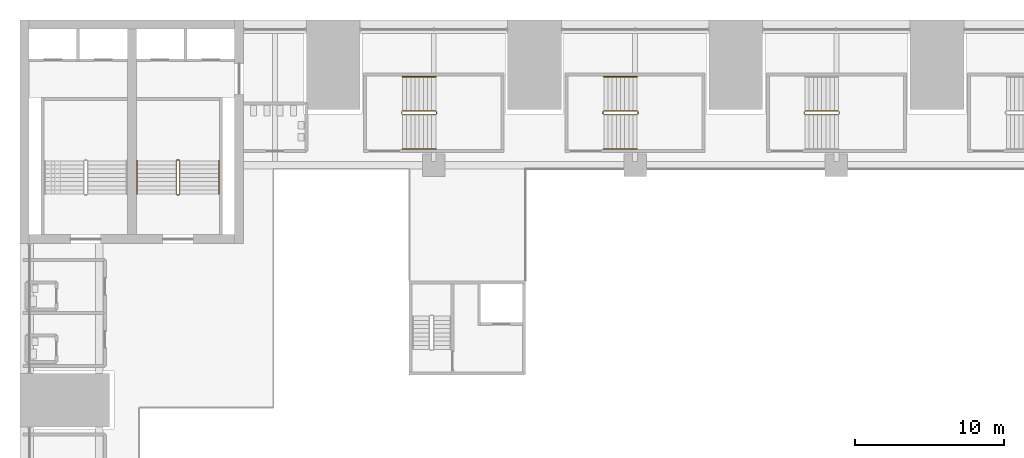
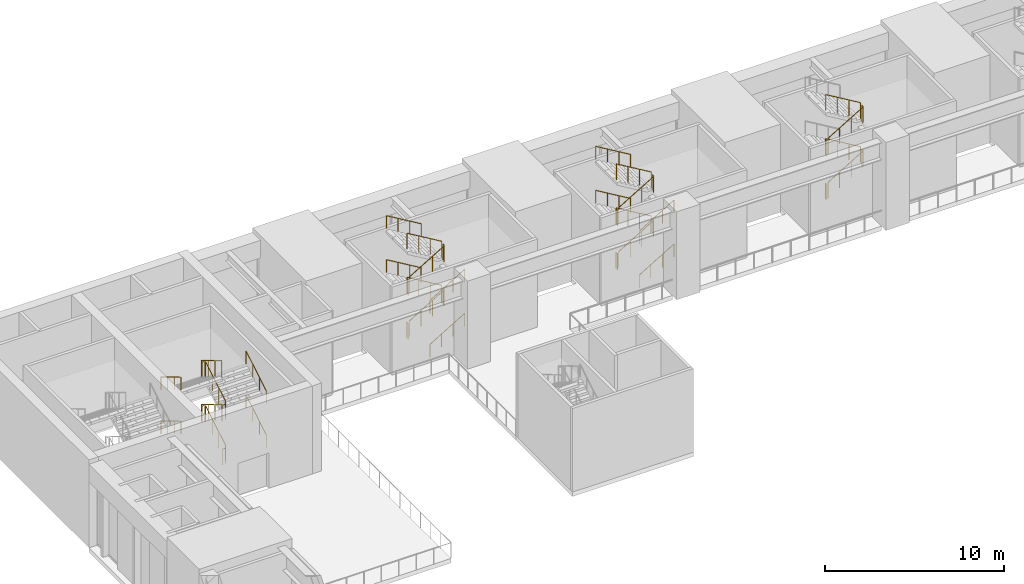
# One storey, part 41 of 43: 7 railings.
"""IFC4 building model written with IfcOpenShell, lengths in metres."""

from ifc_helpers import new_model, si_unit, direction, frame, origin, origin_2d, place, context, subcontext, project, spatial, circle, extrude, material, type_object, element, save


model = new_model("IFC4")

# Units and contexts
model_context = context("Model", 3, precision=1e-05, world=origin(), true_north=direction((0.0, 1.0)))
body_context = subcontext(model_context, "Body", "Model", "MODEL_VIEW")
ifc_project = project(units=[si_unit("LENGTHUNIT", "METRE"), si_unit("AREAUNIT", "SQUARE_METRE"), si_unit("VOLUMEUNIT", "CUBIC_METRE"), si_unit("PLANEANGLEUNIT", "RADIAN"), si_unit("MASSUNIT", "GRAM", prefix="KILO")], contexts=[model_context])

# Site, building, storey
site_placement = place(None, origin())
site = spatial("IfcSite", under=ifc_project, at=site_placement, CompositionType="ELEMENT")
building_placement = place(site_placement, origin())
building = spatial("IfcBuilding", under=site, at=building_placement, Name="Corbelhall Arena Tower", CompositionType="ELEMENT")
storey_placement = place(building_placement, frame((0.0, 0.0, 25.0)))
storey = spatial("IfcBuildingStorey", under=building, at=storey_placement, Name="L03", CompositionType="ELEMENT", Elevation=25.0)

# Railings
ifc_material = material(Name="Stainless steel A4", Category="steel")
railing_type_1 = type_object("IfcRailingType", Name="AR-STAIR-GUARD", PredefinedType="GUARDRAIL", material=ifc_material)
railing_1_placement = place(storey_placement, frame((-22.35009765625, 32.64990234375, 0.166748046875)))
element("IfcRailing", 1, at=railing_1_placement, inside=storey, type_object=railing_type_1, Name="L03 AS9 stair guards", PredefinedType="GUARDRAIL", context=body_context, shape_type="SweptSolid", body=[
    extrude(circle(Radius=0.02392578125, at=origin_2d()), frame((0.0, 0.0, 1.076171875), z_axis=(0.859305625298, 0.0, 0.511462454469), x_axis=(0.0, 1.0, 0.0)), (0.0, 0.0, 1.0), 2.606689453125),
    extrude(circle(Radius=0.02392578125, at=origin_2d()), frame((2.2900390625, 0.050048828125, 2.4091796875), z_axis=(0.0, 1.0, 0.0), x_axis=(-1.0, 0.0, 0.0)), (0.0, 0.0, 1.0), 0.150146484375),
    extrude(circle(Radius=0.02392578125, at=origin_2d()), frame((2.239990234375, 0.25, 2.576171875), z_axis=(-0.859305625298, 0.0, 0.511462454469), x_axis=(0.0, -1.0, 0.0)), (0.0, 0.0, 1.0), 2.606689453125),
    extrude(circle(Radius=0.02392578125, at=origin_2d()), frame((-0.0498046875, 0.050048828125, 3.9091796875), z_axis=(0.0, 1.0, 0.0), x_axis=(-1.0, 0.0, 0.0)), (0.0, 0.0, 1.0), 0.150146484375),
    extrude(circle(Radius=0.02392578125, at=origin_2d()), frame((0.0, 0.0, 4.076171875), z_axis=(0.859305625298, 0.0, 0.511462454469), x_axis=(0.0, 1.0, 0.0)), (0.0, 0.0, 1.0), 2.606689453125),
    extrude(circle(Radius=0.02392578125, at=origin_2d()), frame((2.2900390625, 0.050048828125, 5.4091796875), z_axis=(0.0, 1.0, 0.0), x_axis=(-1.0, 0.0, 0.0)), (0.0, 0.0, 1.0), 0.150146484375),
    extrude(circle(Radius=0.02392578125, at=origin_2d()), frame((2.239990234375, 0.25, 5.576171875), z_axis=(-0.859305625298, 0.0, 0.511462454469), x_axis=(0.0, -1.0, 0.0)), (0.0, 0.0, 1.0), 2.606689453125),
    extrude(circle(Radius=0.02392578125, at=origin_2d()), frame((-0.0498046875, 0.050048828125, 0.9091796875), z_axis=(0.0, 1.0, 0.0), x_axis=(-1.0, 0.0, 0.0)), (0.0, 0.0, 1.0), 0.150146484375),
    extrude(circle(Radius=0.02099609375, at=origin_2d()), origin(), (0.0, 0.0, 1.0), 1.052001953125),
    extrude(circle(Radius=0.02099609375, at=origin_2d()), frame((0.74658203125, 0.0, 0.4443359375)), (0.0, 0.0, 1.0), 1.052001953125),
    extrude(circle(Radius=0.02099609375, at=origin_2d()), frame((1.493408203125, 0.0, 0.888916015625)), (0.0, 0.0, 1.0), 1.052001953125),
    extrude(circle(Radius=0.02099609375, at=origin_2d()), frame((2.239990234375, 0.0, 1.333251953125)), (0.0, 0.0, 1.0), 1.052001953125),
    extrude(circle(Radius=0.02099609375, at=origin_2d()), frame((2.2900390625, 0.050048828125, 1.333251953125)), (0.0, 0.0, 1.0), 1.052001953125),
    extrude(circle(Radius=0.02099609375, at=origin_2d()), frame((2.2900390625, 0.2001953125, 1.333251953125)), (0.0, 0.0, 1.0), 1.052001953125),
    extrude(circle(Radius=0.02099609375, at=origin_2d()), frame((2.239990234375, 0.25, 1.5)), (0.0, 0.0, 1.0), 1.052001953125),
    extrude(circle(Radius=0.02099609375, at=origin_2d()), frame((1.493408203125, 0.25, 1.9443359375)), (0.0, 0.0, 1.0), 1.052001953125),
    extrude(circle(Radius=0.02099609375, at=origin_2d()), frame((0.74658203125, 0.25, 2.388916015625)), (0.0, 0.0, 1.0), 1.052001953125),
    extrude(circle(Radius=0.02099609375, at=origin_2d()), frame((0.0, 0.25, 2.833251953125)), (0.0, 0.0, 1.0), 1.052001953125),
    extrude(circle(Radius=0.02099609375, at=origin_2d()), frame((-0.0498046875, 0.050048828125, 2.833251953125)), (0.0, 0.0, 1.0), 1.052001953125),
    extrude(circle(Radius=0.02099609375, at=origin_2d()), frame((-0.0498046875, 0.2001953125, 2.833251953125)), (0.0, 0.0, 1.0), 1.052001953125),
    extrude(circle(Radius=0.02099609375, at=origin_2d()), frame((0.0, 0.0, 3.0)), (0.0, 0.0, 1.0), 1.052001953125),
    extrude(circle(Radius=0.02099609375, at=origin_2d()), frame((0.74658203125, 0.0, 3.4443359375)), (0.0, 0.0, 1.0), 1.052001953125),
    extrude(circle(Radius=0.02099609375, at=origin_2d()), frame((1.493408203125, 0.0, 3.888916015625)), (0.0, 0.0, 1.0), 1.052001953125),
    extrude(circle(Radius=0.02099609375, at=origin_2d()), frame((2.239990234375, 0.0, 4.333251953125)), (0.0, 0.0, 1.0), 1.052001953125),
    extrude(circle(Radius=0.02099609375, at=origin_2d()), frame((2.2900390625, 0.050048828125, 4.333251953125)), (0.0, 0.0, 1.0), 1.052001953125),
    extrude(circle(Radius=0.02099609375, at=origin_2d()), frame((2.2900390625, 0.2001953125, 4.333251953125)), (0.0, 0.0, 1.0), 1.052001953125),
    extrude(circle(Radius=0.02099609375, at=origin_2d()), frame((2.239990234375, 0.25, 4.5)), (0.0, 0.0, 1.0), 1.052001953125),
    extrude(circle(Radius=0.02099609375, at=origin_2d()), frame((1.493408203125, 0.25, 4.9443359375)), (0.0, 0.0, 1.0), 1.052001953125),
    extrude(circle(Radius=0.02099609375, at=origin_2d()), frame((0.74658203125, 0.25, 5.388916015625)), (0.0, 0.0, 1.0), 1.052001953125),
    extrude(circle(Radius=0.02099609375, at=origin_2d()), frame((0.0, 0.25, 5.833251953125)), (0.0, 0.0, 1.0), 1.052001953125),
    extrude(circle(Radius=0.02099609375, at=origin_2d()), frame((-0.0498046875, 0.050048828125, -0.166748046875)), (0.0, 0.0, 1.0), 1.052001953125),
    extrude(circle(Radius=0.02099609375, at=origin_2d()), frame((-0.0498046875, 0.2001953125, -0.166748046875)), (0.0, 0.0, 1.0), 1.052001953125),
])
railing_2_placement = place(storey_placement, frame((-8.85009765625, 32.64990234375, 0.166748046875)))
element("IfcRailing", 2, at=railing_2_placement, inside=storey, type_object=railing_type_1, Name="L03 AS10 stair guards", PredefinedType="GUARDRAIL", context=body_context, shape_type="SweptSolid", body=[
    extrude(circle(Radius=0.02392578125, at=origin_2d()), frame((0.0, 0.0, 1.076171875), z_axis=(0.859305625298, 0.0, 0.511462454469), x_axis=(0.0, 1.0, 0.0)), (0.0, 0.0, 1.0), 2.606689453125),
    extrude(circle(Radius=0.02392578125, at=origin_2d()), frame((2.2900390625, 0.050048828125, 2.4091796875), z_axis=(0.0, 1.0, 0.0), x_axis=(-1.0, 0.0, 0.0)), (0.0, 0.0, 1.0), 0.150146484375),
    extrude(circle(Radius=0.02392578125, at=origin_2d()), frame((2.239990234375, 0.25, 2.576171875), z_axis=(-0.859305625298, 0.0, 0.511462454469), x_axis=(0.0, -1.0, 0.0)), (0.0, 0.0, 1.0), 2.606689453125),
    extrude(circle(Radius=0.02392578125, at=origin_2d()), frame((-0.0498046875, 0.050048828125, 3.9091796875), z_axis=(0.0, 1.0, 0.0), x_axis=(-1.0, 0.0, 0.0)), (0.0, 0.0, 1.0), 0.150146484375),
    extrude(circle(Radius=0.02392578125, at=origin_2d()), frame((0.0, 0.0, 4.076171875), z_axis=(0.859305625298, 0.0, 0.511462454469), x_axis=(0.0, 1.0, 0.0)), (0.0, 0.0, 1.0), 2.606689453125),
    extrude(circle(Radius=0.02392578125, at=origin_2d()), frame((2.2900390625, 0.050048828125, 5.4091796875), z_axis=(0.0, 1.0, 0.0), x_axis=(-1.0, 0.0, 0.0)), (0.0, 0.0, 1.0), 0.150146484375),
    extrude(circle(Radius=0.02392578125, at=origin_2d()), frame((2.239990234375, 0.25, 5.576171875), z_axis=(-0.859305625298, 0.0, 0.511462454469), x_axis=(0.0, -1.0, 0.0)), (0.0, 0.0, 1.0), 2.606689453125),
    extrude(circle(Radius=0.02392578125, at=origin_2d()), frame((-0.0498046875, 0.050048828125, 0.9091796875), z_axis=(0.0, 1.0, 0.0), x_axis=(-1.0, 0.0, 0.0)), (0.0, 0.0, 1.0), 0.150146484375),
    extrude(circle(Radius=0.02099609375, at=origin_2d()), origin(), (0.0, 0.0, 1.0), 1.052001953125),
    extrude(circle(Radius=0.02099609375, at=origin_2d()), frame((0.74658203125, 0.0, 0.4443359375)), (0.0, 0.0, 1.0), 1.052001953125),
    extrude(circle(Radius=0.02099609375, at=origin_2d()), frame((1.493408203125, 0.0, 0.888916015625)), (0.0, 0.0, 1.0), 1.052001953125),
    extrude(circle(Radius=0.02099609375, at=origin_2d()), frame((2.239990234375, 0.0, 1.333251953125)), (0.0, 0.0, 1.0), 1.052001953125),
    extrude(circle(Radius=0.02099609375, at=origin_2d()), frame((2.2900390625, 0.050048828125, 1.333251953125)), (0.0, 0.0, 1.0), 1.052001953125),
    extrude(circle(Radius=0.02099609375, at=origin_2d()), frame((2.2900390625, 0.2001953125, 1.333251953125)), (0.0, 0.0, 1.0), 1.052001953125),
    extrude(circle(Radius=0.02099609375, at=origin_2d()), frame((2.239990234375, 0.25, 1.5)), (0.0, 0.0, 1.0), 1.052001953125),
    extrude(circle(Radius=0.02099609375, at=origin_2d()), frame((1.493408203125, 0.25, 1.9443359375)), (0.0, 0.0, 1.0), 1.052001953125),
    extrude(circle(Radius=0.02099609375, at=origin_2d()), frame((0.74658203125, 0.25, 2.388916015625)), (0.0, 0.0, 1.0), 1.052001953125),
    extrude(circle(Radius=0.02099609375, at=origin_2d()), frame((0.0, 0.25, 2.833251953125)), (0.0, 0.0, 1.0), 1.052001953125),
    extrude(circle(Radius=0.02099609375, at=origin_2d()), frame((-0.0498046875, 0.050048828125, 2.833251953125)), (0.0, 0.0, 1.0), 1.052001953125),
    extrude(circle(Radius=0.02099609375, at=origin_2d()), frame((-0.0498046875, 0.2001953125, 2.833251953125)), (0.0, 0.0, 1.0), 1.052001953125),
    extrude(circle(Radius=0.02099609375, at=origin_2d()), frame((0.0, 0.0, 3.0)), (0.0, 0.0, 1.0), 1.052001953125),
    extrude(circle(Radius=0.02099609375, at=origin_2d()), frame((0.74658203125, 0.0, 3.4443359375)), (0.0, 0.0, 1.0), 1.052001953125),
    extrude(circle(Radius=0.02099609375, at=origin_2d()), frame((1.493408203125, 0.0, 3.888916015625)), (0.0, 0.0, 1.0), 1.052001953125),
    extrude(circle(Radius=0.02099609375, at=origin_2d()), frame((2.239990234375, 0.0, 4.333251953125)), (0.0, 0.0, 1.0), 1.052001953125),
    extrude(circle(Radius=0.02099609375, at=origin_2d()), frame((2.2900390625, 0.050048828125, 4.333251953125)), (0.0, 0.0, 1.0), 1.052001953125),
    extrude(circle(Radius=0.02099609375, at=origin_2d()), frame((2.2900390625, 0.2001953125, 4.333251953125)), (0.0, 0.0, 1.0), 1.052001953125),
    extrude(circle(Radius=0.02099609375, at=origin_2d()), frame((2.239990234375, 0.25, 4.5)), (0.0, 0.0, 1.0), 1.052001953125),
    extrude(circle(Radius=0.02099609375, at=origin_2d()), frame((1.493408203125, 0.25, 4.9443359375)), (0.0, 0.0, 1.0), 1.052001953125),
    extrude(circle(Radius=0.02099609375, at=origin_2d()), frame((0.74658203125, 0.25, 5.388916015625)), (0.0, 0.0, 1.0), 1.052001953125),
    extrude(circle(Radius=0.02099609375, at=origin_2d()), frame((0.0, 0.25, 5.833251953125)), (0.0, 0.0, 1.0), 1.052001953125),
    extrude(circle(Radius=0.02099609375, at=origin_2d()), frame((-0.0498046875, 0.050048828125, -0.166748046875)), (0.0, 0.0, 1.0), 1.052001953125),
    extrude(circle(Radius=0.02099609375, at=origin_2d()), frame((-0.0498046875, 0.2001953125, -0.166748046875)), (0.0, 0.0, 1.0), 1.052001953125),
])
railing_3_placement = place(storey_placement, frame((4.64990234375, 32.64990234375, 0.166748046875)))
element("IfcRailing", 3, at=railing_3_placement, inside=storey, type_object=railing_type_1, Name="L03 AS11 stair guards", PredefinedType="GUARDRAIL", context=body_context, shape_type="SweptSolid", body=[
    extrude(circle(Radius=0.02392578125, at=origin_2d()), frame((0.0, 0.0, 1.076171875), z_axis=(0.859305625298, 0.0, 0.511462454469), x_axis=(0.0, 1.0, 0.0)), (0.0, 0.0, 1.0), 2.606689453125),
    extrude(circle(Radius=0.02392578125, at=origin_2d()), frame((2.2900390625, 0.050048828125, 2.4091796875), z_axis=(0.0, 1.0, 0.0), x_axis=(-1.0, 0.0, 0.0)), (0.0, 0.0, 1.0), 0.150146484375),
    extrude(circle(Radius=0.02392578125, at=origin_2d()), frame((2.239990234375, 0.25, 2.576171875), z_axis=(-0.859305625298, 0.0, 0.511462454469), x_axis=(0.0, -1.0, 0.0)), (0.0, 0.0, 1.0), 2.606689453125),
    extrude(circle(Radius=0.02392578125, at=origin_2d()), frame((-0.0498046875, 0.050048828125, 3.9091796875), z_axis=(0.0, 1.0, 0.0), x_axis=(-1.0, 0.0, 0.0)), (0.0, 0.0, 1.0), 0.150146484375),
    extrude(circle(Radius=0.02392578125, at=origin_2d()), frame((0.0, 0.0, 4.076171875), z_axis=(0.859305625298, 0.0, 0.511462454469), x_axis=(0.0, 1.0, 0.0)), (0.0, 0.0, 1.0), 2.606689453125),
    extrude(circle(Radius=0.02392578125, at=origin_2d()), frame((2.2900390625, 0.050048828125, 5.4091796875), z_axis=(0.0, 1.0, 0.0), x_axis=(-1.0, 0.0, 0.0)), (0.0, 0.0, 1.0), 0.150146484375),
    extrude(circle(Radius=0.02392578125, at=origin_2d()), frame((2.239990234375, 0.25, 5.576171875), z_axis=(-0.859305625298, 0.0, 0.511462454469), x_axis=(0.0, -1.0, 0.0)), (0.0, 0.0, 1.0), 2.606689453125),
    extrude(circle(Radius=0.02392578125, at=origin_2d()), frame((-0.0498046875, 0.050048828125, 0.9091796875), z_axis=(0.0, 1.0, 0.0), x_axis=(-1.0, 0.0, 0.0)), (0.0, 0.0, 1.0), 0.150146484375),
    extrude(circle(Radius=0.02099609375, at=origin_2d()), origin(), (0.0, 0.0, 1.0), 1.052001953125),
    extrude(circle(Radius=0.02099609375, at=origin_2d()), frame((0.74658203125, 0.0, 0.4443359375)), (0.0, 0.0, 1.0), 1.052001953125),
    extrude(circle(Radius=0.02099609375, at=origin_2d()), frame((1.493408203125, 0.0, 0.888916015625)), (0.0, 0.0, 1.0), 1.052001953125),
    extrude(circle(Radius=0.02099609375, at=origin_2d()), frame((2.239990234375, 0.0, 1.333251953125)), (0.0, 0.0, 1.0), 1.052001953125),
    extrude(circle(Radius=0.02099609375, at=origin_2d()), frame((2.2900390625, 0.050048828125, 1.333251953125)), (0.0, 0.0, 1.0), 1.052001953125),
    extrude(circle(Radius=0.02099609375, at=origin_2d()), frame((2.2900390625, 0.2001953125, 1.333251953125)), (0.0, 0.0, 1.0), 1.052001953125),
    extrude(circle(Radius=0.02099609375, at=origin_2d()), frame((2.239990234375, 0.25, 1.5)), (0.0, 0.0, 1.0), 1.052001953125),
    extrude(circle(Radius=0.02099609375, at=origin_2d()), frame((1.493408203125, 0.25, 1.9443359375)), (0.0, 0.0, 1.0), 1.052001953125),
    extrude(circle(Radius=0.02099609375, at=origin_2d()), frame((0.74658203125, 0.25, 2.388916015625)), (0.0, 0.0, 1.0), 1.052001953125),
    extrude(circle(Radius=0.02099609375, at=origin_2d()), frame((0.0, 0.25, 2.833251953125)), (0.0, 0.0, 1.0), 1.052001953125),
    extrude(circle(Radius=0.02099609375, at=origin_2d()), frame((-0.0498046875, 0.050048828125, 2.833251953125)), (0.0, 0.0, 1.0), 1.052001953125),
    extrude(circle(Radius=0.02099609375, at=origin_2d()), frame((-0.0498046875, 0.2001953125, 2.833251953125)), (0.0, 0.0, 1.0), 1.052001953125),
    extrude(circle(Radius=0.02099609375, at=origin_2d()), frame((0.0, 0.0, 3.0)), (0.0, 0.0, 1.0), 1.052001953125),
    extrude(circle(Radius=0.02099609375, at=origin_2d()), frame((0.74658203125, 0.0, 3.4443359375)), (0.0, 0.0, 1.0), 1.052001953125),
    extrude(circle(Radius=0.02099609375, at=origin_2d()), frame((1.493408203125, 0.0, 3.888916015625)), (0.0, 0.0, 1.0), 1.052001953125),
    extrude(circle(Radius=0.02099609375, at=origin_2d()), frame((2.239990234375, 0.0, 4.333251953125)), (0.0, 0.0, 1.0), 1.052001953125),
    extrude(circle(Radius=0.02099609375, at=origin_2d()), frame((2.2900390625, 0.050048828125, 4.333251953125)), (0.0, 0.0, 1.0), 1.052001953125),
    extrude(circle(Radius=0.02099609375, at=origin_2d()), frame((2.2900390625, 0.2001953125, 4.333251953125)), (0.0, 0.0, 1.0), 1.052001953125),
    extrude(circle(Radius=0.02099609375, at=origin_2d()), frame((2.239990234375, 0.25, 4.5)), (0.0, 0.0, 1.0), 1.052001953125),
    extrude(circle(Radius=0.02099609375, at=origin_2d()), frame((1.493408203125, 0.25, 4.9443359375)), (0.0, 0.0, 1.0), 1.052001953125),
    extrude(circle(Radius=0.02099609375, at=origin_2d()), frame((0.74658203125, 0.25, 5.388916015625)), (0.0, 0.0, 1.0), 1.052001953125),
    extrude(circle(Radius=0.02099609375, at=origin_2d()), frame((0.0, 0.25, 5.833251953125)), (0.0, 0.0, 1.0), 1.052001953125),
    extrude(circle(Radius=0.02099609375, at=origin_2d()), frame((-0.0498046875, 0.050048828125, -0.166748046875)), (0.0, 0.0, 1.0), 1.052001953125),
    extrude(circle(Radius=0.02099609375, at=origin_2d()), frame((-0.0498046875, 0.2001953125, -0.166748046875)), (0.0, 0.0, 1.0), 1.052001953125),
])
railing_4_placement = place(storey_placement, frame((-37.280029296875, 27.320068359375, 0.166748046875)))
element("IfcRailing", 4, at=railing_4_placement, inside=storey, type_object=railing_type_1, Name="L03 AS3 stair guards", PredefinedType="GUARDRAIL", context=body_context, shape_type="SweptSolid", body=[
    extrude(circle(Radius=0.02392578125, at=origin_2d()), frame((0.0, 0.0, 1.076171875), z_axis=(0.0, 0.859305625298, 0.511462454469), x_axis=(-1.0, 0.0, 0.0)), (0.0, 0.0, 1.0), 2.606689453125),
    extrude(circle(Radius=0.02392578125, at=origin_2d()), frame((-0.050048828125, 2.2900390625, 2.4091796875), z_axis=(-1.0, 0.0, 0.0), x_axis=(0.0, -1.0, 0.0)), (0.0, 0.0, 1.0), 0.14990234375),
    extrude(circle(Radius=0.02392578125, at=origin_2d()), frame((-0.25, 2.239990234375, 2.576171875), z_axis=(0.0, -0.859305625298, 0.511462454469), x_axis=(1.0, 0.0, 0.0)), (0.0, 0.0, 1.0), 2.606689453125),
    extrude(circle(Radius=0.02392578125, at=origin_2d()), frame((-0.050048828125, -0.050048828125, 3.9091796875), z_axis=(-1.0, 0.0, 0.0), x_axis=(0.0, -1.0, 0.0)), (0.0, 0.0, 1.0), 0.14990234375),
    extrude(circle(Radius=0.02392578125, at=origin_2d()), frame((0.0, 0.0, 4.076171875), z_axis=(0.0, 0.859305625298, 0.511462454469), x_axis=(-1.0, 0.0, 0.0)), (0.0, 0.0, 1.0), 2.606689453125),
    extrude(circle(Radius=0.02392578125, at=origin_2d()), frame((-0.050048828125, 2.2900390625, 5.4091796875), z_axis=(-1.0, 0.0, 0.0), x_axis=(0.0, -1.0, 0.0)), (0.0, 0.0, 1.0), 0.14990234375),
    extrude(circle(Radius=0.02392578125, at=origin_2d()), frame((-0.25, 2.239990234375, 5.576171875), z_axis=(0.0, -0.859305625298, 0.511462454469), x_axis=(1.0, 0.0, 0.0)), (0.0, 0.0, 1.0), 2.606689453125),
    extrude(circle(Radius=0.02392578125, at=origin_2d()), frame((-0.050048828125, -0.050048828125, 0.9091796875), z_axis=(-1.0, 0.0, 0.0), x_axis=(0.0, -1.0, 0.0)), (0.0, 0.0, 1.0), 0.14990234375),
    extrude(circle(Radius=0.02099609375, at=origin_2d()), origin(), (0.0, 0.0, 1.0), 1.052001953125),
    extrude(circle(Radius=0.02099609375, at=origin_2d()), frame((0.0, 0.74658203125, 0.4443359375)), (0.0, 0.0, 1.0), 1.052001953125),
    extrude(circle(Radius=0.02099609375, at=origin_2d()), frame((0.0, 1.493408203125, 0.888916015625)), (0.0, 0.0, 1.0), 1.052001953125),
    extrude(circle(Radius=0.02099609375, at=origin_2d()), frame((0.0, 2.239990234375, 1.333251953125)), (0.0, 0.0, 1.0), 1.052001953125),
    extrude(circle(Radius=0.02099609375, at=origin_2d()), frame((-0.050048828125, 2.2900390625, 1.333251953125)), (0.0, 0.0, 1.0), 1.052001953125),
    extrude(circle(Radius=0.02099609375, at=origin_2d()), frame((-0.199951171875, 2.2900390625, 1.333251953125)), (0.0, 0.0, 1.0), 1.052001953125),
    extrude(circle(Radius=0.02099609375, at=origin_2d()), frame((-0.25, 2.239990234375, 1.5)), (0.0, 0.0, 1.0), 1.052001953125),
    extrude(circle(Radius=0.02099609375, at=origin_2d()), frame((-0.25, 1.493408203125, 1.9443359375)), (0.0, 0.0, 1.0), 1.052001953125),
    extrude(circle(Radius=0.02099609375, at=origin_2d()), frame((-0.25, 0.74658203125, 2.388916015625)), (0.0, 0.0, 1.0), 1.052001953125),
    extrude(circle(Radius=0.02099609375, at=origin_2d()), frame((-0.25, 0.0, 2.833251953125)), (0.0, 0.0, 1.0), 1.052001953125),
    extrude(circle(Radius=0.02099609375, at=origin_2d()), frame((-0.050048828125, -0.050048828125, 2.833251953125)), (0.0, 0.0, 1.0), 1.052001953125),
    extrude(circle(Radius=0.02099609375, at=origin_2d()), frame((-0.199951171875, -0.050048828125, 2.833251953125)), (0.0, 0.0, 1.0), 1.052001953125),
    extrude(circle(Radius=0.02099609375, at=origin_2d()), frame((0.0, 0.0, 3.0)), (0.0, 0.0, 1.0), 1.052001953125),
    extrude(circle(Radius=0.02099609375, at=origin_2d()), frame((0.0, 0.74658203125, 3.4443359375)), (0.0, 0.0, 1.0), 1.052001953125),
    extrude(circle(Radius=0.02099609375, at=origin_2d()), frame((0.0, 1.493408203125, 3.888916015625)), (0.0, 0.0, 1.0), 1.052001953125),
    extrude(circle(Radius=0.02099609375, at=origin_2d()), frame((0.0, 2.239990234375, 4.333251953125)), (0.0, 0.0, 1.0), 1.052001953125),
    extrude(circle(Radius=0.02099609375, at=origin_2d()), frame((-0.050048828125, 2.2900390625, 4.333251953125)), (0.0, 0.0, 1.0), 1.052001953125),
    extrude(circle(Radius=0.02099609375, at=origin_2d()), frame((-0.199951171875, 2.2900390625, 4.333251953125)), (0.0, 0.0, 1.0), 1.052001953125),
    extrude(circle(Radius=0.02099609375, at=origin_2d()), frame((-0.25, 2.239990234375, 4.5)), (0.0, 0.0, 1.0), 1.052001953125),
    extrude(circle(Radius=0.02099609375, at=origin_2d()), frame((-0.25, 1.493408203125, 4.9443359375)), (0.0, 0.0, 1.0), 1.052001953125),
    extrude(circle(Radius=0.02099609375, at=origin_2d()), frame((-0.25, 0.74658203125, 5.388916015625)), (0.0, 0.0, 1.0), 1.052001953125),
    extrude(circle(Radius=0.02099609375, at=origin_2d()), frame((-0.25, 0.0, 5.833251953125)), (0.0, 0.0, 1.0), 1.052001953125),
    extrude(circle(Radius=0.02099609375, at=origin_2d()), frame((-0.050048828125, -0.050048828125, -0.166748046875)), (0.0, 0.0, 1.0), 1.052001953125),
    extrude(circle(Radius=0.02099609375, at=origin_2d()), frame((-0.199951171875, -0.050048828125, -0.166748046875)), (0.0, 0.0, 1.0), 1.052001953125),
])
railing_type_2 = type_object("IfcRailingType", Name="AR-STAIR-HANDRAIL", PredefinedType="HANDRAIL", material=ifc_material)
railing_5_placement = place(storey_placement, frame((-22.35009765625, 30.35009765625, 0.166748046875)))
element("IfcRailing", 5, at=railing_5_placement, inside=storey, type_object=railing_type_2, Name="L03 AS9 stair handrails", PredefinedType="HANDRAIL", context=body_context, shape_type="SweptSolid", body=[
    extrude(circle(Radius=0.02392578125, at=origin_2d()), frame((0.0, 0.0, 0.8759765625), z_axis=(0.859305625298, 0.0, 0.511462454469), x_axis=(0.0, 1.0, 0.0)), (0.0, 0.0, 1.0), 2.606689453125),
    extrude(circle(Radius=0.02392578125, at=origin_2d()), frame((2.239990234375, 4.849853515625, 2.3759765625), z_axis=(-0.859305625298, 0.0, 0.511462454469), x_axis=(0.0, -1.0, 0.0)), (0.0, 0.0, 1.0), 2.606689453125),
    extrude(circle(Radius=0.02392578125, at=origin_2d()), frame((0.0, 0.0, 3.8759765625), z_axis=(0.859305625298, 0.0, 0.511462454469), x_axis=(0.0, 1.0, 0.0)), (0.0, 0.0, 1.0), 2.606689453125),
    extrude(circle(Radius=0.02392578125, at=origin_2d()), frame((2.239990234375, 4.849853515625, 5.3759765625), z_axis=(-0.859305625298, 0.0, 0.511462454469), x_axis=(0.0, -1.0, 0.0)), (0.0, 0.0, 1.0), 2.606689453125),
    extrude(circle(Radius=0.02099609375, at=origin_2d()), origin(), (0.0, 0.0, 1.0), 0.851806640625),
    extrude(circle(Radius=0.02099609375, at=origin_2d()), frame((0.74658203125, 0.0, 0.4443359375)), (0.0, 0.0, 1.0), 0.851806640625),
    extrude(circle(Radius=0.02099609375, at=origin_2d()), frame((1.493408203125, 0.0, 0.888916015625)), (0.0, 0.0, 1.0), 0.851806640625),
    extrude(circle(Radius=0.02099609375, at=origin_2d()), frame((2.239990234375, 0.0, 1.333251953125)), (0.0, 0.0, 1.0), 0.851806640625),
    extrude(circle(Radius=0.02099609375, at=origin_2d()), frame((2.239990234375, 4.849853515625, 1.5)), (0.0, 0.0, 1.0), 0.851806640625),
    extrude(circle(Radius=0.02099609375, at=origin_2d()), frame((1.493408203125, 4.849853515625, 1.9443359375)), (0.0, 0.0, 1.0), 0.851806640625),
    extrude(circle(Radius=0.02099609375, at=origin_2d()), frame((0.74658203125, 4.849853515625, 2.388916015625)), (0.0, 0.0, 1.0), 0.851806640625),
    extrude(circle(Radius=0.02099609375, at=origin_2d()), frame((0.0, 4.849853515625, 2.833251953125)), (0.0, 0.0, 1.0), 0.851806640625),
    extrude(circle(Radius=0.02099609375, at=origin_2d()), frame((0.0, 0.0, 3.0)), (0.0, 0.0, 1.0), 0.851806640625),
    extrude(circle(Radius=0.02099609375, at=origin_2d()), frame((0.74658203125, 0.0, 3.4443359375)), (0.0, 0.0, 1.0), 0.851806640625),
    extrude(circle(Radius=0.02099609375, at=origin_2d()), frame((1.493408203125, 0.0, 3.888916015625)), (0.0, 0.0, 1.0), 0.851806640625),
    extrude(circle(Radius=0.02099609375, at=origin_2d()), frame((2.239990234375, 0.0, 4.333251953125)), (0.0, 0.0, 1.0), 0.851806640625),
    extrude(circle(Radius=0.02099609375, at=origin_2d()), frame((2.239990234375, 4.849853515625, 4.5)), (0.0, 0.0, 1.0), 0.851806640625),
    extrude(circle(Radius=0.02099609375, at=origin_2d()), frame((1.493408203125, 4.849853515625, 4.9443359375)), (0.0, 0.0, 1.0), 0.851806640625),
    extrude(circle(Radius=0.02099609375, at=origin_2d()), frame((0.74658203125, 4.849853515625, 5.388916015625)), (0.0, 0.0, 1.0), 0.851806640625),
    extrude(circle(Radius=0.02099609375, at=origin_2d()), frame((0.0, 4.849853515625, 5.833251953125)), (0.0, 0.0, 1.0), 0.851806640625),
])
railing_6_placement = place(storey_placement, frame((-8.85009765625, 30.35009765625, 0.166748046875)))
element("IfcRailing", 6, at=railing_6_placement, inside=storey, type_object=railing_type_2, Name="L03 AS10 stair handrails", PredefinedType="HANDRAIL", context=body_context, shape_type="SweptSolid", body=[
    extrude(circle(Radius=0.02392578125, at=origin_2d()), frame((0.0, 0.0, 0.8759765625), z_axis=(0.859305625298, 0.0, 0.511462454469), x_axis=(0.0, 1.0, 0.0)), (0.0, 0.0, 1.0), 2.606689453125),
    extrude(circle(Radius=0.02392578125, at=origin_2d()), frame((2.239990234375, 4.849853515625, 2.3759765625), z_axis=(-0.859305625298, 0.0, 0.511462454469), x_axis=(0.0, -1.0, 0.0)), (0.0, 0.0, 1.0), 2.606689453125),
    extrude(circle(Radius=0.02392578125, at=origin_2d()), frame((0.0, 0.0, 3.8759765625), z_axis=(0.859305625298, 0.0, 0.511462454469), x_axis=(0.0, 1.0, 0.0)), (0.0, 0.0, 1.0), 2.606689453125),
    extrude(circle(Radius=0.02392578125, at=origin_2d()), frame((2.239990234375, 4.849853515625, 5.3759765625), z_axis=(-0.859305625298, 0.0, 0.511462454469), x_axis=(0.0, -1.0, 0.0)), (0.0, 0.0, 1.0), 2.606689453125),
    extrude(circle(Radius=0.02099609375, at=origin_2d()), origin(), (0.0, 0.0, 1.0), 0.851806640625),
    extrude(circle(Radius=0.02099609375, at=origin_2d()), frame((0.74658203125, 0.0, 0.4443359375)), (0.0, 0.0, 1.0), 0.851806640625),
    extrude(circle(Radius=0.02099609375, at=origin_2d()), frame((1.493408203125, 0.0, 0.888916015625)), (0.0, 0.0, 1.0), 0.851806640625),
    extrude(circle(Radius=0.02099609375, at=origin_2d()), frame((2.239990234375, 0.0, 1.333251953125)), (0.0, 0.0, 1.0), 0.851806640625),
    extrude(circle(Radius=0.02099609375, at=origin_2d()), frame((2.239990234375, 4.849853515625, 1.5)), (0.0, 0.0, 1.0), 0.851806640625),
    extrude(circle(Radius=0.02099609375, at=origin_2d()), frame((1.493408203125, 4.849853515625, 1.9443359375)), (0.0, 0.0, 1.0), 0.851806640625),
    extrude(circle(Radius=0.02099609375, at=origin_2d()), frame((0.74658203125, 4.849853515625, 2.388916015625)), (0.0, 0.0, 1.0), 0.851806640625),
    extrude(circle(Radius=0.02099609375, at=origin_2d()), frame((0.0, 4.849853515625, 2.833251953125)), (0.0, 0.0, 1.0), 0.851806640625),
    extrude(circle(Radius=0.02099609375, at=origin_2d()), frame((0.0, 0.0, 3.0)), (0.0, 0.0, 1.0), 0.851806640625),
    extrude(circle(Radius=0.02099609375, at=origin_2d()), frame((0.74658203125, 0.0, 3.4443359375)), (0.0, 0.0, 1.0), 0.851806640625),
    extrude(circle(Radius=0.02099609375, at=origin_2d()), frame((1.493408203125, 0.0, 3.888916015625)), (0.0, 0.0, 1.0), 0.851806640625),
    extrude(circle(Radius=0.02099609375, at=origin_2d()), frame((2.239990234375, 0.0, 4.333251953125)), (0.0, 0.0, 1.0), 0.851806640625),
    extrude(circle(Radius=0.02099609375, at=origin_2d()), frame((2.239990234375, 4.849853515625, 4.5)), (0.0, 0.0, 1.0), 0.851806640625),
    extrude(circle(Radius=0.02099609375, at=origin_2d()), frame((1.493408203125, 4.849853515625, 4.9443359375)), (0.0, 0.0, 1.0), 0.851806640625),
    extrude(circle(Radius=0.02099609375, at=origin_2d()), frame((0.74658203125, 4.849853515625, 5.388916015625)), (0.0, 0.0, 1.0), 0.851806640625),
    extrude(circle(Radius=0.02099609375, at=origin_2d()), frame((0.0, 4.849853515625, 5.833251953125)), (0.0, 0.0, 1.0), 0.851806640625),
])
railing_7_placement = place(storey_placement, frame((-34.659912109375, 27.320068359375, 0.166748046875)))
element("IfcRailing", 7, at=railing_7_placement, inside=storey, type_object=railing_type_2, Name="L03 AS3 stair handrails", PredefinedType="HANDRAIL", context=body_context, shape_type="SweptSolid", body=[
    extrude(circle(Radius=0.02392578125, at=origin_2d()), frame((0.0, 0.0, 0.8759765625), z_axis=(0.0, 0.859305625298, 0.511462454469), x_axis=(-1.0, 0.0, 0.0)), (0.0, 0.0, 1.0), 2.606689453125),
    extrude(circle(Radius=0.02392578125, at=origin_2d()), frame((-5.489990234375, 2.239990234375, 2.3759765625), z_axis=(0.0, -0.859305625298, 0.511462454469), x_axis=(1.0, 0.0, 0.0)), (0.0, 0.0, 1.0), 2.606689453125),
    extrude(circle(Radius=0.02392578125, at=origin_2d()), frame((0.0, 0.0, 3.8759765625), z_axis=(0.0, 0.859305625298, 0.511462454469), x_axis=(-1.0, 0.0, 0.0)), (0.0, 0.0, 1.0), 2.606689453125),
    extrude(circle(Radius=0.02392578125, at=origin_2d()), frame((-5.489990234375, 2.239990234375, 5.3759765625), z_axis=(0.0, -0.859305625298, 0.511462454469), x_axis=(1.0, 0.0, 0.0)), (0.0, 0.0, 1.0), 2.606689453125),
    extrude(circle(Radius=0.02099609375, at=origin_2d()), origin(), (0.0, 0.0, 1.0), 0.851806640625),
    extrude(circle(Radius=0.02099609375, at=origin_2d()), frame((0.0, 0.74658203125, 0.4443359375)), (0.0, 0.0, 1.0), 0.851806640625),
    extrude(circle(Radius=0.02099609375, at=origin_2d()), frame((0.0, 1.493408203125, 0.888916015625)), (0.0, 0.0, 1.0), 0.851806640625),
    extrude(circle(Radius=0.02099609375, at=origin_2d()), frame((0.0, 2.239990234375, 1.333251953125)), (0.0, 0.0, 1.0), 0.851806640625),
    extrude(circle(Radius=0.02099609375, at=origin_2d()), frame((-5.489990234375, 2.239990234375, 1.5)), (0.0, 0.0, 1.0), 0.851806640625),
    extrude(circle(Radius=0.02099609375, at=origin_2d()), frame((-5.489990234375, 1.493408203125, 1.9443359375)), (0.0, 0.0, 1.0), 0.851806640625),
    extrude(circle(Radius=0.02099609375, at=origin_2d()), frame((-5.489990234375, 0.74658203125, 2.388916015625)), (0.0, 0.0, 1.0), 0.851806640625),
    extrude(circle(Radius=0.02099609375, at=origin_2d()), frame((-5.489990234375, 0.0, 2.833251953125)), (0.0, 0.0, 1.0), 0.851806640625),
    extrude(circle(Radius=0.02099609375, at=origin_2d()), frame((0.0, 0.0, 3.0)), (0.0, 0.0, 1.0), 0.851806640625),
    extrude(circle(Radius=0.02099609375, at=origin_2d()), frame((0.0, 0.74658203125, 3.4443359375)), (0.0, 0.0, 1.0), 0.851806640625),
    extrude(circle(Radius=0.02099609375, at=origin_2d()), frame((0.0, 1.493408203125, 3.888916015625)), (0.0, 0.0, 1.0), 0.851806640625),
    extrude(circle(Radius=0.02099609375, at=origin_2d()), frame((0.0, 2.239990234375, 4.333251953125)), (0.0, 0.0, 1.0), 0.851806640625),
    extrude(circle(Radius=0.02099609375, at=origin_2d()), frame((-5.489990234375, 2.239990234375, 4.5)), (0.0, 0.0, 1.0), 0.851806640625),
    extrude(circle(Radius=0.02099609375, at=origin_2d()), frame((-5.489990234375, 1.493408203125, 4.9443359375)), (0.0, 0.0, 1.0), 0.851806640625),
    extrude(circle(Radius=0.02099609375, at=origin_2d()), frame((-5.489990234375, 0.74658203125, 5.388916015625)), (0.0, 0.0, 1.0), 0.851806640625),
    extrude(circle(Radius=0.02099609375, at=origin_2d()), frame((-5.489990234375, 0.0, 5.833251953125)), (0.0, 0.0, 1.0), 0.851806640625),
])

save(model, "model.ifc")
